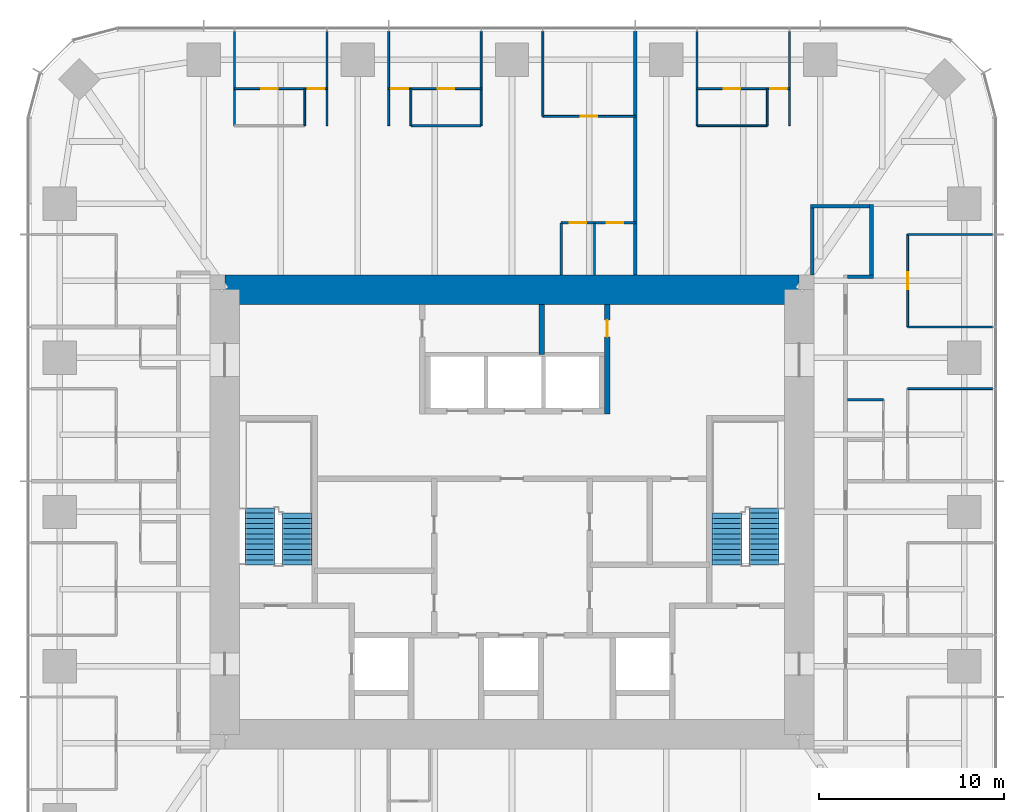
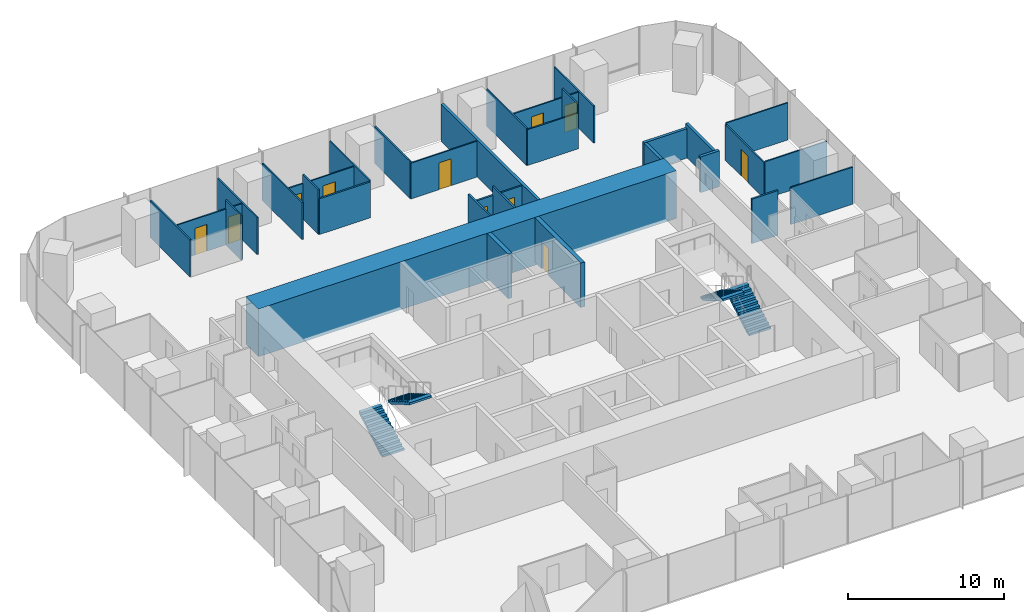
# One storey, part 11 of 12: 32 walls, 11 doors, 4 stair flights, 11 openings, 2 elements without a shape of their own.
"""IFC4 building model written with IfcOpenShell, lengths in metres."""

from ifc_helpers import new_model, si_unit, direction, frame, frame_2d, origin, place, context, subcontext, project, spatial, polyline, rectangle, outline, extrude, material, layer, layer_set, type_object, element, fill, aggregate, save


model = new_model("IFC4")

# Units and contexts
model_context = context("Model", 3, precision=1e-05, world=origin(), true_north=direction((0.0, 1.0)))
body_context = subcontext(model_context, "Body", "Model", "MODEL_VIEW")
ifc_project = project(units=[si_unit("LENGTHUNIT", "METRE"), si_unit("AREAUNIT", "SQUARE_METRE"), si_unit("VOLUMEUNIT", "CUBIC_METRE"), si_unit("PLANEANGLEUNIT", "RADIAN"), si_unit("MASSUNIT", "GRAM", prefix="KILO")], contexts=[model_context])

# Site, building, storey
site_placement = place(None, origin())
site = spatial("IfcSite", under=ifc_project, at=site_placement, CompositionType="ELEMENT")
building_placement = place(site_placement, origin())
building = spatial("IfcBuilding", under=site, at=building_placement, Name="Khuree Lantern Residences", CompositionType="ELEMENT")
storey_placement = place(building_placement, frame((0.0, 0.0, 240.75)))
storey = spatial("IfcBuildingStorey", under=building, at=storey_placement, Name="L60", CompositionType="ELEMENT", Elevation=240.75)

# Walls
ifc_material_1 = material(Name="Moisture-resistant gypsum board on steel studs", Category="steel")
ifc_layer_1 = layer(ifc_material_1, 0.125)
ifc_layer_set_1 = layer_set([ifc_layer_1], Name="BATHROOM WALL BTW125")
wall_type_1 = type_object("IfcWallType", Name="BATHROOM WALL BTW125", PredefinedType="PARTITIONING", material=ifc_layer_set_1)
wall_1_placement = place(storey_placement, frame((18.10009765625, 6.06396484375, 0.0), z_axis=(0.0, 0.0, 1.0), x_axis=(1.0, 0.0, 0.0)))
element("IfcWall", 1, at=wall_1_placement, inside=storey, type_object=wall_type_1, Name="L60 BATHROOM WALL 02", PredefinedType="PARTITIONING", context=body_context, shape_type="SweptSolid", body=[
    extrude(rectangle(XDim=1.949951171875, YDim=0.125, at=frame_2d((0.97509765625, 0.0))), origin(), (0.0, 0.0, 1.0), 3.5),
])
wall_2_placement = place(storey_placement, frame((-1.6640625, 20.844970703125, 0.0), z_axis=(0.0, 0.0, 1.0), x_axis=(-1.0, 0.0, 0.0)))
element("IfcWall", 2, at=wall_2_placement, inside=storey, type_object=wall_type_1, Name="L60 BATHROOM WALL 03", PredefinedType="PARTITIONING", context=body_context, shape_type="SweptSolid", body=[
    extrude(rectangle(XDim=3.7919921875, YDim=0.125, at=frame_2d((1.89599609375, 0.0))), origin(), (0.0, 0.0, 1.0), 2.81005859375),
])

# Wall, openings, doors
wall_3_placement = place(storey_placement, frame((6.656005859375, 15.60009765625, 0.0), z_axis=(0.0, 0.0, 1.0), x_axis=(-1.0, 0.0, 0.0)))
wall_3 = element("IfcWall", 3, at=wall_3_placement, inside=storey, type_object=wall_type_1, Name="L60 BATHROOM WALL 03", PredefinedType="PARTITIONING", context=body_context, shape_type="SweptSolid", body=[
    extrude(rectangle(XDim=4.0, YDim=0.125, at=frame_2d((2.0, 0.0))), origin(), (0.0, 0.0, 1.0), 2.81005859375),
])
opening_1_placement = place(wall_3_placement, frame((0.64990234375, 0.0, 0.0)))
opening_1 = element("IfcOpeningElement", 4, at=opening_1_placement, cuts=wall_3, Name="Opening 60-039", PredefinedType="OPENING", context=body_context, shape_type="SweptSolid", body=[
    extrude(rectangle(XDim=0.89990234375, YDim=2.10009765625, at=frame_2d((0.449951171875, 1.050048828125))), frame((0.0, 0.072509765625, 0.0), z_axis=(0.0, -1.0, 0.0), x_axis=(1.0, 0.0, 0.0)), (0.0, 0.0, 1.0), 0.14501953125),
])
opening_2_placement = place(wall_3_placement, frame((2.64990234375, 0.0, 0.0)))
opening_2 = element("IfcOpeningElement", 5, at=opening_2_placement, cuts=wall_3, Name="Opening 60-040", PredefinedType="OPENING", context=body_context, shape_type="SweptSolid", body=[
    extrude(rectangle(XDim=0.89990234375, YDim=2.10009765625, at=frame_2d((0.449951171875, 1.050048828125))), frame((0.0, 0.072509765625, 0.0), z_axis=(0.0, -1.0, 0.0), x_axis=(1.0, 0.0, 0.0)), (0.0, 0.0, 1.0), 0.14501953125),
])
ifc_material_2 = material(Name="Timber door leaf in hardwood frame", Category="wood")
door_type_1 = type_object("IfcDoorType", Name="BATHROOM DOOR 900X2100", OperationType="SINGLE_SWING_LEFT", PredefinedType="DOOR", material=ifc_material_2)
door_1_placement = place(opening_1_placement, origin())
door_1 = element("IfcDoor", 6, at=door_1_placement, inside=storey, type_object=door_type_1, Name="Bathroom door 60-039", OperationType="SINGLE_SWING_LEFT", OverallHeight=2.10009765625, OverallWidth=0.89990234375, PredefinedType="DOOR", context=body_context, shape_type="SweptSolid", body=[
    extrude(rectangle(XDim=0.89990234375, YDim=2.10009765625, at=frame_2d((0.449951171875, 1.050048828125))), frame((0.0, 0.02490234375, 0.0), z_axis=(0.0, -1.0, 0.0), x_axis=(1.0, 0.0, 0.0)), (0.0, 0.0, 1.0), 0.050048828125),
])
fill(opening_1, door_1)
door_type_2 = type_object("IfcDoorType", Name="DOOR 900X2100", OperationType="SINGLE_SWING_LEFT", PredefinedType="DOOR", material=ifc_material_2)
door_2_placement = place(opening_2_placement, origin())
door_2 = element("IfcDoor", 7, at=door_2_placement, inside=storey, type_object=door_type_2, Name="Store door 60-040", OperationType="SINGLE_SWING_LEFT", OverallHeight=2.10009765625, OverallWidth=0.89990234375, PredefinedType="DOOR", context=body_context, shape_type="SweptSolid", body=[
    extrude(rectangle(XDim=0.89990234375, YDim=2.10009765625, at=frame_2d((0.449951171875, 1.050048828125))), frame((0.0, 0.02490234375, 0.0), z_axis=(0.0, -1.0, 0.0), x_axis=(1.0, 0.0, 0.0)), (0.0, 0.0, 1.0), 0.050048828125),
])
fill(opening_2, door_2)

# Walls
for number, where, z_axis, x_axis, name in (
    (8, (4.4560546875, 12.800048828125, 0.0), (0.0, 0.0, 1.0), (0.0, 1.0, 0.0), "L60 BATHROOM WALL 03"),
    (9, (2.656005859375, 12.800048828125, 0.0), (0.0, 0.0, 1.0), (0.0, 1.0, 0.0), "L60 BATHROOM WALL 03"),
):
    element("IfcWall", number, at=place(storey_placement, frame(where, z_axis=z_axis, x_axis=x_axis)), inside=storey, type_object=wall_type_1, Name=name, PredefinedType="PARTITIONING", context=body_context, shape_type="SweptSolid", body=[
        extrude(rectangle(XDim=2.800048828125, YDim=0.125, at=frame_2d((1.39990234375, 0.0))), origin(), (0.0, 0.0, 1.0), 3.5),
    ])

# Wall, opening, door
ifc_material_3 = material(Name="Dense concrete blockwork", Category="masonry")
ifc_layer_2 = layer(ifc_material_3, 0.300048828125)
ifc_layer_set_2 = layer_set([ifc_layer_2], Name="CORE PARTITION WALL CPW300 EI 120")
wall_type_2 = type_object("IfcWallType", Name="CORE PARTITION WALL CPW300 EI 120", PredefinedType="PARTITIONING", material=ifc_layer_set_2)
wall_4_placement = place(storey_placement, frame((5.14990234375, 5.300048828125, 0.0), z_axis=(0.0, 0.0, 1.0), x_axis=(0.0, 1.0, 0.0)))
wall_4 = element("IfcWall", 10, at=wall_4_placement, inside=storey, type_object=wall_type_2, Name="L60 CORE WALL NE", PredefinedType="PARTITIONING", context=body_context, shape_type="SweptSolid", body=[
    extrude(rectangle(XDim=5.89990234375, YDim=0.300048828125, at=frame_2d((2.949951171875, 0.0))), origin(), (0.0, 0.0, 1.0), 3.5),
])
opening_3_placement = place(wall_4_placement, frame((4.14990234375, 0.0, 0.0)))
opening_3 = element("IfcOpeningElement", 11, at=opening_3_placement, cuts=wall_4, Name="Opening 60-022", PredefinedType="OPENING", context=body_context, shape_type="SweptSolid", body=[
    extrude(rectangle(XDim=0.89990234375, YDim=2.10009765625, at=frame_2d((0.449951171875, 1.050048828125))), frame((0.0, 0.16015625, 0.0), z_axis=(0.0, -1.0, 0.0), x_axis=(1.0, 0.0, 0.0)), (0.0, 0.0, 1.0), 0.320068359375),
])
door_3_placement = place(opening_3_placement, origin())
door_3 = element("IfcDoor", 12, at=door_3_placement, inside=storey, type_object=door_type_2, Name="Comms room door 60-022", OperationType="SINGLE_SWING_LEFT", OverallHeight=2.10009765625, OverallWidth=0.89990234375, PredefinedType="DOOR", context=body_context, shape_type="SweptSolid", body=[
    extrude(rectangle(XDim=0.89990234375, YDim=2.10009765625, at=frame_2d((0.449951171875, 1.050048828125))), frame((0.0, 0.02490234375, 0.0), z_axis=(0.0, -1.0, 0.0), x_axis=(1.0, 0.0, 0.0)), (0.0, 0.0, 1.0), 0.050048828125),
])
fill(opening_3, door_3)

# Walls
wall_5_placement = place(storey_placement, frame((1.60009765625, 8.5, 0.0), z_axis=(0.0, 0.0, 1.0), x_axis=(0.0, 1.0, 0.0)))
element("IfcWall", 13, at=wall_5_placement, inside=storey, type_object=wall_type_2, Name="L60 CORE WALL NX", PredefinedType="PARTITIONING", context=body_context, shape_type="SweptSolid", body=[
    extrude(rectangle(XDim=2.699951171875, YDim=0.300048828125, at=frame_2d((1.35009765625, 0.0))), origin(), (0.0, 0.0, 1.0), 3.5),
])
ifc_material_4 = material(Name="Gypsum board on steel studs", Category="steel")
ifc_layer_3 = layer(ifc_material_4, 0.199951171875)
ifc_layer_set_3 = layer_set([ifc_layer_3], Name="CORRIDOR WALL CRW200 EI 60")
wall_type_3 = type_object("IfcWallType", Name="CORRIDOR WALL CRW200 EI 60", PredefinedType="PARTITIONING", material=ifc_layer_set_3)
wall_6_placement = place(storey_placement, frame((18.10009765625, 12.699951171875, 0.0), z_axis=(0.0, 0.0, 1.0), x_axis=(1.0, 0.0, 0.0)))
element("IfcWall", 14, at=wall_6_placement, inside=storey, type_object=wall_type_3, Name="L60 RESIDENTS LOUNGE WALL", PredefinedType="PARTITIONING", context=body_context, shape_type="SweptSolid", body=[
    extrude(rectangle(XDim=1.39990234375, YDim=0.199951171875, at=frame_2d((0.699951171875, 0.0))), origin(), (0.0, 0.0, 1.0), 2.81005859375),
])
wall_7_placement = place(storey_placement, frame((19.39990234375, 12.60009765625, 0.0), z_axis=(0.0, 0.0, 1.0), x_axis=(0.0, 1.0, 0.0)))
element("IfcWall", 15, at=wall_7_placement, inside=storey, type_object=wall_type_3, Name="L60 RESIDENTS LOUNGE WALL", PredefinedType="PARTITIONING", context=body_context, shape_type="SweptSolid", body=[
    extrude(rectangle(XDim=4.0, YDim=0.199951171875, at=frame_2d((2.0, 0.0))), origin(), (0.0, 0.0, 1.0), 2.60009765625),
])
wall_8_placement = place(storey_placement, frame((19.300048828125, 16.5, 0.0), z_axis=(0.0, 0.0, 1.0), x_axis=(-1.0, 0.0, 0.0)))
element("IfcWall", 16, at=wall_8_placement, inside=storey, type_object=wall_type_3, Name="L60 RESIDENTS LOUNGE WALL", PredefinedType="PARTITIONING", context=body_context, shape_type="SweptSolid", body=[
    extrude(rectangle(XDim=3.199951171875, YDim=0.199951171875, at=frame_2d((1.60009765625, 0.0))), origin(), (0.0, 0.0, 1.0), 2.300048828125),
])
wall_9_placement = place(storey_placement, frame((16.199951171875, 16.60009765625, 0.0), z_axis=(0.0, 0.0, 1.0), x_axis=(0.0, -1.0, 0.0)))
element("IfcWall", 17, at=wall_9_placement, inside=storey, type_object=wall_type_3, Name="L60 RESIDENTS LOUNGE WALL", PredefinedType="PARTITIONING", context=body_context, shape_type="SweptSolid", body=[
    extrude(rectangle(XDim=3.800048828125, YDim=0.199951171875, at=frame_2d((1.89990234375, 0.0))), origin(), (0.0, 0.0, 1.0), 2.300048828125),
])
ifc_material_5 = material(Name="Concrete C50/60", Category="concrete")
ifc_layer_4 = layer(ifc_material_5, 1.60009765625)
ifc_layer_set_4 = layer_set([ifc_layer_4], Name="CW1600-C50 CORE WALL C50 1600")
wall_type_4 = type_object("IfcWallType", Name="CW1600-C50 CORE WALL C50 1600", PredefinedType="SHEAR", material=ifc_layer_set_4)
wall_10_placement = place(storey_placement, frame((-15.5, 12.0, -0.25), z_axis=(0.0, 0.0, 1.0), x_axis=(1.0, 0.0, 0.0)))
element("IfcWall", 18, at=wall_10_placement, inside=storey, type_object=wall_type_4, Name="Core wall N", PredefinedType="SHEAR", context=body_context, shape_type="SweptSolid", body=[
    extrude(rectangle(XDim=31.0, YDim=1.60009765625, at=frame_2d((15.5, 0.0))), origin(), (0.0, 0.0, 1.0), 3.75),
])
ifc_layer_5 = layer(ifc_material_4, 0.199951171875)
ifc_layer_set_5 = layer_set([ifc_layer_5], Name="DEMISING WALL DMW200 EI 90")
wall_type_5 = type_object("IfcWallType", Name="DEMISING WALL DMW200 EI 90", PredefinedType="PARTITIONING", material=ifc_layer_set_5)
wall_11_placement = place(storey_placement, frame((6.656005859375, 12.800048828125, 0.0), z_axis=(0.0, 0.0, 1.0), x_axis=(0.0, 1.0, 0.0)))
element("IfcWall", 19, at=wall_11_placement, inside=storey, type_object=wall_type_5, Name="L60 DEMISING WALL 03", PredefinedType="PARTITIONING", context=body_context, shape_type="SweptSolid", body=[
    extrude(rectangle(XDim=13.14990234375, YDim=0.199951171875, at=frame_2d((6.574951171875, 0.0))), origin(), (0.0, 0.0, 1.0), 2.909912109375),
])
ifc_layer_6 = layer(ifc_material_4, 0.10009765625)
ifc_layer_set_6 = layer_set([ifc_layer_6], Name="PARTITION PT100")
wall_type_6 = type_object("IfcWallType", Name="PARTITION PT100", PredefinedType="PARTITIONING", material=ifc_layer_set_6)
for number, where, z_axis, x_axis, name in (
    (20, (21.35009765625, 6.656005859375, 0.0), (0.0, 0.0, 1.0), (1.0, 0.0, 0.0), "L60 PARTITION 02"),
    (21, (21.35009765625, 9.98388671875, 0.0), (0.0, 0.0, 1.0), (1.0, 0.0, 0.0), "L60 PARTITION 02"),
    (22, (21.35009765625, 14.97607421875, 0.0), (0.0, 0.0, 1.0), (1.0, 0.0, 0.0), "L60 PARTITION 02"),
):
    element("IfcWall", number, at=place(storey_placement, frame(where, z_axis=z_axis, x_axis=x_axis)), inside=storey, type_object=wall_type_6, Name=name, PredefinedType="PARTITIONING", context=body_context, shape_type="SweptSolid", body=[
        extrude(rectangle(XDim=4.599853515625, YDim=0.10009765625, at=frame_2d((2.2998046875, 0.0))), origin(), (0.0, 0.0, 1.0), 2.909912109375),
    ])
for number, where, z_axis, x_axis, name in (
    (23, (14.97607421875, 20.844970703125, 0.0), (0.0, 0.0, 1.0), (0.0, 1.0, 0.0), "L60 PARTITION 02"),
    (24, (9.98388671875, 20.844970703125, 0.0), (0.0, 0.0, 1.0), (0.0, 1.0, 0.0), "L60 PARTITION 02"),
):
    element("IfcWall", number, at=place(storey_placement, frame(where, z_axis=z_axis, x_axis=x_axis)), inside=storey, type_object=wall_type_6, Name=name, PredefinedType="PARTITIONING", context=body_context, shape_type="SweptSolid", body=[
        extrude(rectangle(XDim=5.10498046875, YDim=0.10009765625, at=frame_2d((2.552490234375, 0.0))), origin(), (0.0, 0.0, 1.0), 2.909912109375),
    ])
wall_12_placement = place(storey_placement, frame((1.6640625, 21.35009765625, 0.0), z_axis=(0.0, 0.0, 1.0), x_axis=(0.0, 1.0, 0.0)))
element("IfcWall", 25, at=wall_12_placement, inside=storey, type_object=wall_type_6, Name="L60 PARTITION 03", PredefinedType="PARTITIONING", context=body_context, shape_type="SweptSolid", body=[
    extrude(rectangle(XDim=4.599853515625, YDim=0.10009765625, at=frame_2d((2.2998046875, 0.0))), origin(), (0.0, 0.0, 1.0), 2.909912109375),
])
for number, where, z_axis, x_axis, name in (
    (26, (-1.6640625, 20.844970703125, 0.0), (0.0, 0.0, 1.0), (0.0, 1.0, 0.0), "L60 PARTITION 03"),
    (27, (-6.656005859375, 20.844970703125, 0.0), (0.0, 0.0, 1.0), (0.0, 1.0, 0.0), "L60 PARTITION 03"),
    (28, (-9.98388671875, 20.844970703125, 0.0), (0.0, 0.0, 1.0), (0.0, 1.0, 0.0), "L60 PARTITION 03"),
    (29, (-14.97607421875, 20.844970703125, 0.0), (0.0, 0.0, 1.0), (0.0, 1.0, 0.0), "L60 PARTITION 03"),
):
    element("IfcWall", number, at=place(storey_placement, frame(where, z_axis=z_axis, x_axis=x_axis)), inside=storey, type_object=wall_type_6, Name=name, PredefinedType="PARTITIONING", context=body_context, shape_type="SweptSolid", body=[
        extrude(rectangle(XDim=5.10498046875, YDim=0.10009765625, at=frame_2d((2.552490234375, 0.0))), origin(), (0.0, 0.0, 1.0), 2.909912109375),
    ])

# Wall, opening, door
wall_13_placement = place(storey_placement, frame((21.35009765625, 9.98388671875, 0.0), z_axis=(0.0, 0.0, 1.0), x_axis=(0.0, 1.0, 0.0)))
wall_13 = element("IfcWall", 30, at=wall_13_placement, inside=storey, type_object=wall_type_6, Name="L60 PARTITION 02", PredefinedType="PARTITIONING", context=body_context, shape_type="SweptSolid", body=[
    extrude(rectangle(XDim=4.9921875, YDim=0.10009765625, at=frame_2d((2.49609375, 0.0))), origin(), (0.0, 0.0, 1.0), 2.81005859375),
])
opening_4_placement = place(wall_13_placement, frame((2.0458984375, 0.0, 0.0)))
opening_4 = element("IfcOpeningElement", 31, at=opening_4_placement, cuts=wall_13, Name="Opening 60-027", PredefinedType="OPENING", context=body_context, shape_type="SweptSolid", body=[
    extrude(rectangle(XDim=0.89990234375, YDim=2.10009765625, at=frame_2d((0.449951171875, 1.050048828125))), frame((0.0, 0.06005859375, 0.0), z_axis=(0.0, -1.0, 0.0), x_axis=(1.0, 0.0, 0.0)), (0.0, 0.0, 1.0), 0.1201171875),
])
door_type_3 = type_object("IfcDoorType", Name="BEDROOM DOOR 900X2100", OperationType="SINGLE_SWING_LEFT", PredefinedType="DOOR", material=ifc_material_2)
door_4_placement = place(opening_4_placement, origin())
door_4 = element("IfcDoor", 32, at=door_4_placement, inside=storey, type_object=door_type_3, Name="Bedroom door 60-027", OperationType="SINGLE_SWING_LEFT", OverallHeight=2.10009765625, OverallWidth=0.89990234375, PredefinedType="DOOR", context=body_context, shape_type="SweptSolid", body=[
    extrude(rectangle(XDim=0.89990234375, YDim=2.10009765625, at=frame_2d((0.449951171875, 1.050048828125))), frame((0.0, 0.02490234375, 0.0), z_axis=(0.0, -1.0, 0.0), x_axis=(1.0, 0.0, 0.0)), (0.0, 0.0, 1.0), 0.050048828125),
])
fill(opening_4, door_4)

# Wall, openings, doors
wall_14_placement = place(storey_placement, frame((14.97607421875, 22.844970703125, 0.0), z_axis=(0.0, 0.0, 1.0), x_axis=(-1.0, 0.0, 0.0)))
wall_14 = element("IfcWall", 33, at=wall_14_placement, inside=storey, type_object=wall_type_6, Name="L60 PARTITION 02", PredefinedType="PARTITIONING", context=body_context, shape_type="SweptSolid", body=[
    extrude(rectangle(XDim=4.9921875, YDim=0.10009765625, at=frame_2d((2.49609375, 0.0))), origin(), (0.0, 0.0, 1.0), 2.81005859375),
])
opening_5_placement = place(wall_14_placement, frame((0.14990234375, 0.0, 0.0)))
opening_5 = element("IfcOpeningElement", 34, at=opening_5_placement, cuts=wall_14, Name="Opening 60-028", PredefinedType="OPENING", context=body_context, shape_type="SweptSolid", body=[
    extrude(rectangle(XDim=0.89990234375, YDim=2.10009765625, at=frame_2d((0.449951171875, 1.050048828125))), frame((0.0, 0.06005859375, 0.0), z_axis=(0.0, -1.0, 0.0), x_axis=(1.0, 0.0, 0.0)), (0.0, 0.0, 1.0), 0.1201171875),
])
opening_6_placement = place(wall_14_placement, frame((2.64599609375, 0.0, 0.0)))
opening_6 = element("IfcOpeningElement", 35, at=opening_6_placement, cuts=wall_14, Name="Opening 60-029", PredefinedType="OPENING", context=body_context, shape_type="SweptSolid", body=[
    extrude(rectangle(XDim=0.89990234375, YDim=2.10009765625, at=frame_2d((0.449951171875, 1.050048828125))), frame((0.0, 0.06005859375, 0.0), z_axis=(0.0, -1.0, 0.0), x_axis=(1.0, 0.0, 0.0)), (0.0, 0.0, 1.0), 0.1201171875),
])
door_5_placement = place(opening_5_placement, origin())
door_5 = element("IfcDoor", 36, at=door_5_placement, inside=storey, type_object=door_type_3, Name="Bedroom door 60-028", OperationType="SINGLE_SWING_LEFT", OverallHeight=2.10009765625, OverallWidth=0.89990234375, PredefinedType="DOOR", context=body_context, shape_type="SweptSolid", body=[
    extrude(rectangle(XDim=0.89990234375, YDim=2.10009765625, at=frame_2d((0.449951171875, 1.050048828125))), frame((0.0, 0.02490234375, 0.0), z_axis=(0.0, -1.0, 0.0), x_axis=(1.0, 0.0, 0.0)), (0.0, 0.0, 1.0), 0.050048828125),
])
fill(opening_5, door_5)
door_6_placement = place(opening_6_placement, origin())
door_6 = element("IfcDoor", 37, at=door_6_placement, inside=storey, type_object=door_type_2, Name="Wardrobe door 60-029", OperationType="SINGLE_SWING_LEFT", OverallHeight=2.10009765625, OverallWidth=0.89990234375, PredefinedType="DOOR", context=body_context, shape_type="SweptSolid", body=[
    extrude(rectangle(XDim=0.89990234375, YDim=2.10009765625, at=frame_2d((0.449951171875, 1.050048828125))), frame((0.0, 0.02490234375, 0.0), z_axis=(0.0, -1.0, 0.0), x_axis=(1.0, 0.0, 0.0)), (0.0, 0.0, 1.0), 0.050048828125),
])
fill(opening_6, door_6)

# Walls
wall_15_placement = place(storey_placement, frame((13.77587890625, 20.844970703125, 0.0), z_axis=(0.0, 0.0, 1.0), x_axis=(0.0, 1.0, 0.0)))
element("IfcWall", 38, at=wall_15_placement, inside=storey, type_object=wall_type_6, Name="L60 PARTITION 02", PredefinedType="PARTITIONING", context=body_context, shape_type="SweptSolid", body=[
    extrude(rectangle(XDim=2.0, YDim=0.10009765625, at=frame_2d((1.0, 0.0))), origin(), (0.0, 0.0, 1.0), 3.5),
])
wall_16_placement = place(storey_placement, frame((13.77587890625, 20.844970703125, 0.0), z_axis=(0.0, 0.0, 1.0), x_axis=(-1.0, 0.0, 0.0)))
element("IfcWall", 39, at=wall_16_placement, inside=storey, type_object=wall_type_6, Name="L60 PARTITION 02", PredefinedType="PARTITIONING", context=body_context, shape_type="SweptSolid", body=[
    extrude(rectangle(XDim=3.7919921875, YDim=0.10009765625, at=frame_2d((1.89599609375, 0.0))), origin(), (0.0, 0.0, 1.0), 2.81005859375),
])

# Wall, opening, door
wall_17_placement = place(storey_placement, frame((6.656005859375, 21.35009765625, 0.0), z_axis=(0.0, 0.0, 1.0), x_axis=(-1.0, 0.0, 0.0)))
wall_17 = element("IfcWall", 40, at=wall_17_placement, inside=storey, type_object=wall_type_6, Name="L60 PARTITION 03", PredefinedType="PARTITIONING", context=body_context, shape_type="SweptSolid", body=[
    extrude(rectangle(XDim=4.991943359375, YDim=0.10009765625, at=frame_2d((2.49609375, 0.0))), origin(), (0.0, 0.0, 1.0), 2.81005859375),
])
opening_7_placement = place(wall_17_placement, frame((2.0458984375, 0.0, 0.0)))
opening_7 = element("IfcOpeningElement", 41, at=opening_7_placement, cuts=wall_17, Name="Opening 60-033", PredefinedType="OPENING", context=body_context, shape_type="SweptSolid", body=[
    extrude(rectangle(XDim=0.89990234375, YDim=2.10009765625, at=frame_2d((0.449951171875, 1.050048828125))), frame((0.0, 0.06005859375, 0.0), z_axis=(0.0, -1.0, 0.0), x_axis=(1.0, 0.0, 0.0)), (0.0, 0.0, 1.0), 0.1201171875),
])
door_7_placement = place(opening_7_placement, origin())
door_7 = element("IfcDoor", 42, at=door_7_placement, inside=storey, type_object=door_type_3, Name="Bedroom door 60-033", OperationType="SINGLE_SWING_LEFT", OverallHeight=2.10009765625, OverallWidth=0.89990234375, PredefinedType="DOOR", context=body_context, shape_type="SweptSolid", body=[
    extrude(rectangle(XDim=0.89990234375, YDim=2.10009765625, at=frame_2d((0.449951171875, 1.050048828125))), frame((0.0, 0.02490234375, 0.0), z_axis=(0.0, -1.0, 0.0), x_axis=(1.0, 0.0, 0.0)), (0.0, 0.0, 1.0), 0.050048828125),
])
fill(opening_7, door_7)

# Wall, openings, doors
wall_18_placement = place(storey_placement, frame((-1.6640625, 22.844970703125, 0.0), z_axis=(0.0, 0.0, 1.0), x_axis=(-1.0, 0.0, 0.0)))
wall_18 = element("IfcWall", 43, at=wall_18_placement, inside=storey, type_object=wall_type_6, Name="L60 PARTITION 03", PredefinedType="PARTITIONING", context=body_context, shape_type="SweptSolid", body=[
    extrude(rectangle(XDim=4.991943359375, YDim=0.10009765625, at=frame_2d((2.49609375, 0.0))), origin(), (0.0, 0.0, 1.0), 2.81005859375),
])
opening_8_placement = place(wall_18_placement, frame((3.94189453125, 0.0, 0.0)))
opening_8 = element("IfcOpeningElement", 44, at=opening_8_placement, cuts=wall_18, Name="Opening 60-034", PredefinedType="OPENING", context=body_context, shape_type="SweptSolid", body=[
    extrude(rectangle(XDim=0.89990234375, YDim=2.10009765625, at=frame_2d((0.449951171875, 1.050048828125))), frame((0.0, 0.06005859375, 0.0), z_axis=(0.0, -1.0, 0.0), x_axis=(1.0, 0.0, 0.0)), (0.0, 0.0, 1.0), 0.1201171875),
])
opening_9_placement = place(wall_18_placement, frame((1.446044921875, 0.0, 0.0)))
opening_9 = element("IfcOpeningElement", 45, at=opening_9_placement, cuts=wall_18, Name="Opening 60-035", PredefinedType="OPENING", context=body_context, shape_type="SweptSolid", body=[
    extrude(rectangle(XDim=0.89990234375, YDim=2.10009765625, at=frame_2d((0.449951171875, 1.050048828125))), frame((0.0, 0.06005859375, 0.0), z_axis=(0.0, -1.0, 0.0), x_axis=(1.0, 0.0, 0.0)), (0.0, 0.0, 1.0), 0.1201171875),
])
door_8_placement = place(opening_9_placement, origin())
door_8 = element("IfcDoor", 46, at=door_8_placement, inside=storey, type_object=door_type_1, Name="Bathroom door 60-035", OperationType="SINGLE_SWING_LEFT", OverallHeight=2.10009765625, OverallWidth=0.89990234375, PredefinedType="DOOR", context=body_context, shape_type="SweptSolid", body=[
    extrude(rectangle(XDim=0.89990234375, YDim=2.10009765625, at=frame_2d((0.449951171875, 1.050048828125))), frame((0.0, 0.02490234375, 0.0), z_axis=(0.0, -1.0, 0.0), x_axis=(1.0, 0.0, 0.0)), (0.0, 0.0, 1.0), 0.050048828125),
])
fill(opening_9, door_8)
door_9_placement = place(opening_8_placement, origin())
door_9 = element("IfcDoor", 47, at=door_9_placement, inside=storey, type_object=door_type_3, Name="Bedroom door 60-034", OperationType="SINGLE_SWING_LEFT", OverallHeight=2.10009765625, OverallWidth=0.89990234375, PredefinedType="DOOR", context=body_context, shape_type="SweptSolid", body=[
    extrude(rectangle(XDim=0.89990234375, YDim=2.10009765625, at=frame_2d((0.449951171875, 1.050048828125))), frame((0.0, 0.02490234375, 0.0), z_axis=(0.0, -1.0, 0.0), x_axis=(1.0, 0.0, 0.0)), (0.0, 0.0, 1.0), 0.050048828125),
])
fill(opening_8, door_9)

# Wall
wall_19_placement = place(storey_placement, frame((-5.4560546875, 20.844970703125, 0.0), z_axis=(0.0, 0.0, 1.0), x_axis=(0.0, 1.0, 0.0)))
element("IfcWall", 48, at=wall_19_placement, inside=storey, type_object=wall_type_6, Name="L60 PARTITION 03", PredefinedType="PARTITIONING", context=body_context, shape_type="SweptSolid", body=[
    extrude(rectangle(XDim=2.0, YDim=0.10009765625, at=frame_2d((1.0, 0.0))), origin(), (0.0, 0.0, 1.0), 3.5),
])

# Wall, openings, doors
wall_20_placement = place(storey_placement, frame((-9.98388671875, 22.844970703125, 0.0), z_axis=(0.0, 0.0, 1.0), x_axis=(-1.0, 0.0, 0.0)))
wall_20 = element("IfcWall", 49, at=wall_20_placement, inside=storey, type_object=wall_type_6, Name="L60 PARTITION 03", PredefinedType="PARTITIONING", context=body_context, shape_type="SweptSolid", body=[
    extrude(rectangle(XDim=4.9921875, YDim=0.10009765625, at=frame_2d((2.49609375, 0.0))), origin(), (0.0, 0.0, 1.0), 2.81005859375),
])
opening_10_placement = place(wall_20_placement, frame((0.14990234375, 0.0, 0.0)))
opening_10 = element("IfcOpeningElement", 50, at=opening_10_placement, cuts=wall_20, Name="Opening 60-036", PredefinedType="OPENING", context=body_context, shape_type="SweptSolid", body=[
    extrude(rectangle(XDim=0.89990234375, YDim=2.10009765625, at=frame_2d((0.449951171875, 1.050048828125))), frame((0.0, 0.06005859375, 0.0), z_axis=(0.0, -1.0, 0.0), x_axis=(1.0, 0.0, 0.0)), (0.0, 0.0, 1.0), 0.1201171875),
])
opening_11_placement = place(wall_20_placement, frame((2.64599609375, 0.0, 0.0)))
opening_11 = element("IfcOpeningElement", 51, at=opening_11_placement, cuts=wall_20, Name="Opening 60-037", PredefinedType="OPENING", context=body_context, shape_type="SweptSolid", body=[
    extrude(rectangle(XDim=0.89990234375, YDim=2.10009765625, at=frame_2d((0.449951171875, 1.050048828125))), frame((0.0, 0.06005859375, 0.0), z_axis=(0.0, -1.0, 0.0), x_axis=(1.0, 0.0, 0.0)), (0.0, 0.0, 1.0), 0.1201171875),
])
door_10_placement = place(opening_10_placement, origin())
door_10 = element("IfcDoor", 52, at=door_10_placement, inside=storey, type_object=door_type_3, Name="Bedroom door 60-036", OperationType="SINGLE_SWING_LEFT", OverallHeight=2.10009765625, OverallWidth=0.89990234375, PredefinedType="DOOR", context=body_context, shape_type="SweptSolid", body=[
    extrude(rectangle(XDim=0.89990234375, YDim=2.10009765625, at=frame_2d((0.449951171875, 1.050048828125))), frame((0.0, 0.02490234375, 0.0), z_axis=(0.0, -1.0, 0.0), x_axis=(1.0, 0.0, 0.0)), (0.0, 0.0, 1.0), 0.050048828125),
])
fill(opening_10, door_10)
door_11_placement = place(opening_11_placement, origin())
door_11 = element("IfcDoor", 53, at=door_11_placement, inside=storey, type_object=door_type_2, Name="Wardrobe door 60-037", OperationType="SINGLE_SWING_LEFT", OverallHeight=2.10009765625, OverallWidth=0.89990234375, PredefinedType="DOOR", context=body_context, shape_type="SweptSolid", body=[
    extrude(rectangle(XDim=0.89990234375, YDim=2.10009765625, at=frame_2d((0.449951171875, 1.050048828125))), frame((0.0, 0.02490234375, 0.0), z_axis=(0.0, -1.0, 0.0), x_axis=(1.0, 0.0, 0.0)), (0.0, 0.0, 1.0), 0.050048828125),
])
fill(opening_11, door_11)

# Wall
wall_21_placement = place(storey_placement, frame((-11.18408203125, 20.844970703125, 0.0), z_axis=(0.0, 0.0, 1.0), x_axis=(0.0, 1.0, 0.0)))
element("IfcWall", 54, at=wall_21_placement, inside=storey, type_object=wall_type_6, Name="L60 PARTITION 03", PredefinedType="PARTITIONING", context=body_context, shape_type="SweptSolid", body=[
    extrude(rectangle(XDim=2.0, YDim=0.10009765625, at=frame_2d((1.0, 0.0))), origin(), (0.0, 0.0, 1.0), 3.5),
])

# Stair, stair flights
ifc_material_6 = material(Name="Concrete C40/50", Category="concrete")
stair_type = type_object("IfcStairType", Name="STAIR ST1 HALF TURN 3600", PredefinedType="HALF_TURN_STAIR", material=ifc_material_6)
stair_1_placement = place(storey_placement, origin())
stair_1 = element("IfcStair", 55, at=stair_1_placement, inside=storey, type_object=stair_type, Name="Stair ST1", PredefinedType="HALF_TURN_STAIR")
stair_flight_type = type_object("IfcStairFlightType", Name="STAIR FLIGHT SF1 1600", PredefinedType="STRAIGHT", material=ifc_material_6)
stair_flight_1_placement = place(storey_placement, frame((-13.60009765625, -2.860107421875, 0.0), z_axis=(0.0, 0.0, 1.0), x_axis=(0.0, 1.0, 0.0)))
stair_flight_1 = element("IfcStairFlight", 56, at=stair_flight_1_placement, type_object=stair_flight_type, Name="ST1 flight 1", NumberOfRisers=12, NumberOfTreads=11, PredefinedType="STRAIGHT", RiserHeight=0.163043478, TreadLength=0.28, context=body_context, shape_type="SweptSolid", body=[
    extrude(outline(polyline([(0.0, 0.0), (0.0, 0.1630859375), (0.280029296875, 0.1630859375), (0.280029296875, 0.326171875), (0.56005859375, 0.326171875), (0.56005859375, 0.489013671875), (0.840087890625, 0.489013671875), (0.840087890625, 0.652099609375), (1.1201171875, 0.652099609375), (1.1201171875, 0.815185546875), (1.39990234375, 0.815185546875), (1.39990234375, 0.978271484375), (1.679931640625, 0.978271484375), (1.679931640625, 1.141357421875), (1.9599609375, 1.141357421875), (1.9599609375, 1.304443359375), (2.239990234375, 1.304443359375), (2.239990234375, 1.46728515625), (2.52001953125, 1.46728515625), (2.52001953125, 1.63037109375), (2.800048828125, 1.63037109375), (2.800048828125, 1.79345703125), (3.080078125, 1.79345703125), (3.080078125, 1.95654296875), (3.080078125, 1.6201171875), (0.2978515625, 0.0), (0.0, 0.0)])), frame((0.0, 0.800048828125, 0.0), z_axis=(0.0, -1.0, 0.0), x_axis=(1.0, 0.0, 0.0)), (0.0, 0.0, 1.0), 1.60009765625),
])
stair_flight_2_placement = place(storey_placement, frame((-11.60009765625, -0.06005859375, 1.95654296875), z_axis=(0.0, 0.0, 1.0), x_axis=(0.0, -1.0, 0.0)))
stair_flight_2 = element("IfcStairFlight", 57, at=stair_flight_2_placement, type_object=stair_flight_type, Name="ST1 flight 2", NumberOfRisers=11, NumberOfTreads=10, PredefinedType="STRAIGHT", RiserHeight=0.163043478, TreadLength=0.28, context=body_context, shape_type="SweptSolid", body=[
    extrude(outline(polyline([(0.0, 0.0), (0.0, 0.1630859375), (0.280029296875, 0.1630859375), (0.280029296875, 0.326171875), (0.56005859375, 0.326171875), (0.56005859375, 0.489013671875), (0.840087890625, 0.489013671875), (0.840087890625, 0.652099609375), (1.1201171875, 0.652099609375), (1.1201171875, 0.815185546875), (1.39990234375, 0.815185546875), (1.39990234375, 0.978271484375), (1.679931640625, 0.978271484375), (1.679931640625, 1.141357421875), (1.9599609375, 1.141357421875), (1.9599609375, 1.304443359375), (2.239990234375, 1.304443359375), (2.239990234375, 1.46728515625), (2.52001953125, 1.46728515625), (2.52001953125, 1.63037109375), (2.800048828125, 1.63037109375), (2.800048828125, 1.79345703125), (2.800048828125, 1.45703125), (0.2978515625, 0.0), (0.0, 0.0)])), frame((0.0, 0.800048828125, 0.0), z_axis=(0.0, -1.0, 0.0), x_axis=(1.0, 0.0, 0.0)), (0.0, 0.0, 1.0), 1.60009765625),
])
aggregate(stair_1, [stair_flight_1, stair_flight_2])

stair_2_placement = place(storey_placement, origin())
stair_2 = element("IfcStair", 58, at=stair_2_placement, inside=storey, type_object=stair_type, Name="Stair ST2", PredefinedType="HALF_TURN_STAIR")
stair_flight_3_placement = place(storey_placement, frame((13.60009765625, -2.860107421875, 0.0), z_axis=(0.0, 0.0, 1.0), x_axis=(0.0, 1.0, 0.0)))
stair_flight_3 = element("IfcStairFlight", 59, at=stair_flight_3_placement, type_object=stair_flight_type, Name="ST2 flight 1", NumberOfRisers=12, NumberOfTreads=11, PredefinedType="STRAIGHT", RiserHeight=0.163043478, TreadLength=0.28, context=body_context, shape_type="SweptSolid", body=[
    extrude(outline(polyline([(0.0, 0.0), (0.0, 0.1630859375), (0.280029296875, 0.1630859375), (0.280029296875, 0.326171875), (0.56005859375, 0.326171875), (0.56005859375, 0.489013671875), (0.840087890625, 0.489013671875), (0.840087890625, 0.652099609375), (1.1201171875, 0.652099609375), (1.1201171875, 0.815185546875), (1.39990234375, 0.815185546875), (1.39990234375, 0.978271484375), (1.679931640625, 0.978271484375), (1.679931640625, 1.141357421875), (1.9599609375, 1.141357421875), (1.9599609375, 1.304443359375), (2.239990234375, 1.304443359375), (2.239990234375, 1.46728515625), (2.52001953125, 1.46728515625), (2.52001953125, 1.63037109375), (2.800048828125, 1.63037109375), (2.800048828125, 1.79345703125), (3.080078125, 1.79345703125), (3.080078125, 1.95654296875), (3.080078125, 1.6201171875), (0.2978515625, 0.0), (0.0, 0.0)])), frame((0.0, 0.800048828125, 0.0), z_axis=(0.0, -1.0, 0.0), x_axis=(1.0, 0.0, 0.0)), (0.0, 0.0, 1.0), 1.60009765625),
])
stair_flight_4_placement = place(storey_placement, frame((11.60009765625, -0.06005859375, 1.95654296875), z_axis=(0.0, 0.0, 1.0), x_axis=(0.0, -1.0, 0.0)))
stair_flight_4 = element("IfcStairFlight", 60, at=stair_flight_4_placement, type_object=stair_flight_type, Name="ST2 flight 2", NumberOfRisers=11, NumberOfTreads=10, PredefinedType="STRAIGHT", RiserHeight=0.163043478, TreadLength=0.28, context=body_context, shape_type="SweptSolid", body=[
    extrude(outline(polyline([(0.0, 0.0), (0.0, 0.1630859375), (0.280029296875, 0.1630859375), (0.280029296875, 0.326171875), (0.56005859375, 0.326171875), (0.56005859375, 0.489013671875), (0.840087890625, 0.489013671875), (0.840087890625, 0.652099609375), (1.1201171875, 0.652099609375), (1.1201171875, 0.815185546875), (1.39990234375, 0.815185546875), (1.39990234375, 0.978271484375), (1.679931640625, 0.978271484375), (1.679931640625, 1.141357421875), (1.9599609375, 1.141357421875), (1.9599609375, 1.304443359375), (2.239990234375, 1.304443359375), (2.239990234375, 1.46728515625), (2.52001953125, 1.46728515625), (2.52001953125, 1.63037109375), (2.800048828125, 1.63037109375), (2.800048828125, 1.79345703125), (2.800048828125, 1.45703125), (0.2978515625, 0.0), (0.0, 0.0)])), frame((0.0, 0.800048828125, 0.0), z_axis=(0.0, -1.0, 0.0), x_axis=(1.0, 0.0, 0.0)), (0.0, 0.0, 1.0), 1.60009765625),
])
aggregate(stair_2, [stair_flight_3, stair_flight_4])

save(model, "model.ifc")
